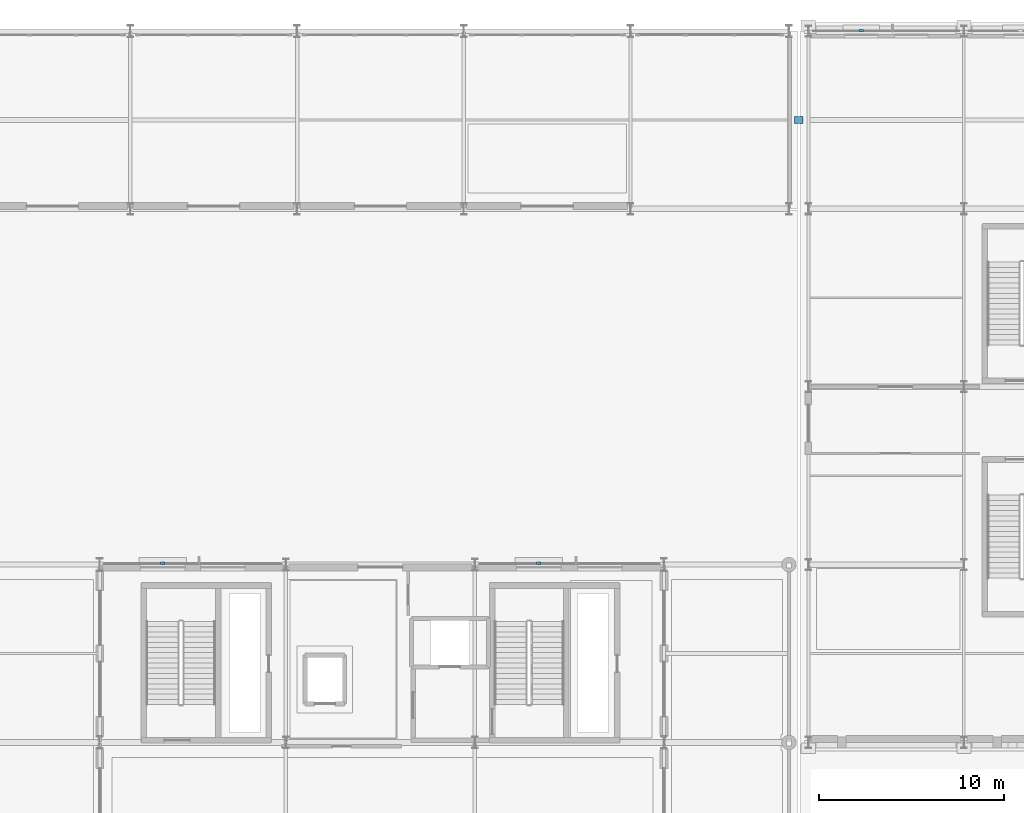
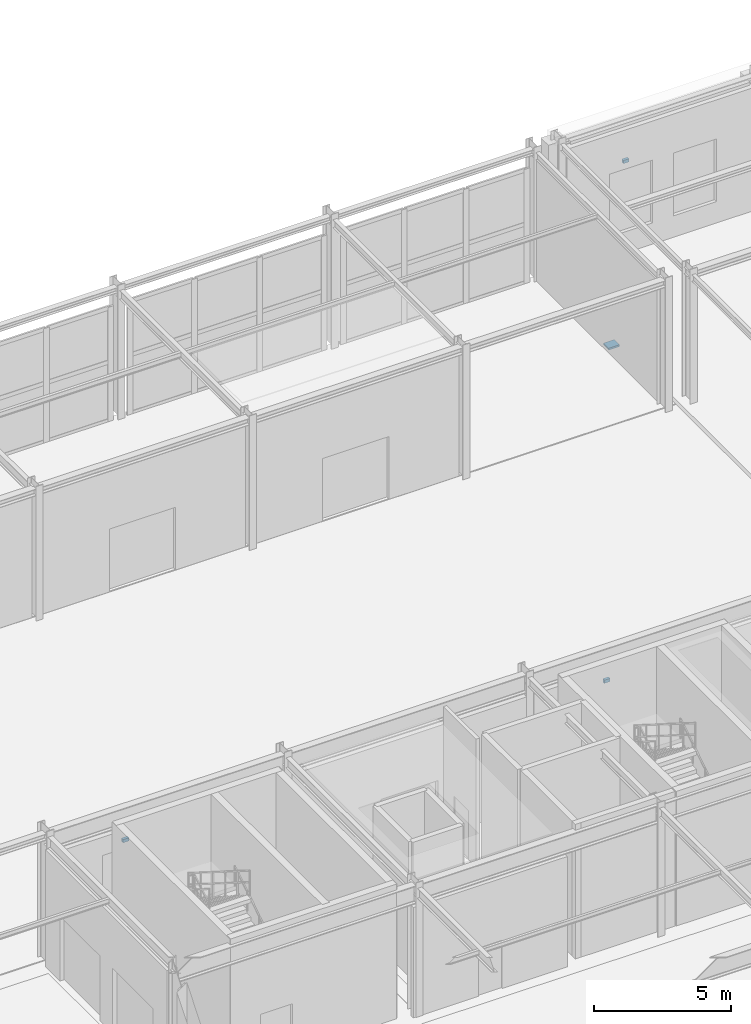
# One storey, part 74 of 113: 4 discrete accessories.
"""IFC4 building model written with IfcOpenShell, lengths in metres."""

from ifc_helpers import new_model, si_unit, direction, frame, origin, origin_2d, place, context, subcontext, project, spatial, rectangle, extrude, material, type_object, element, save


model = new_model("IFC4")

# Units and contexts
model_context = context("Model", 3, precision=1e-05, world=origin(), true_north=direction((0.0, 1.0)))
body_context = subcontext(model_context, "Body", "Model", "MODEL_VIEW")
ifc_project = project(units=[si_unit("LENGTHUNIT", "METRE"), si_unit("AREAUNIT", "SQUARE_METRE"), si_unit("VOLUMEUNIT", "CUBIC_METRE"), si_unit("PLANEANGLEUNIT", "RADIAN"), si_unit("MASSUNIT", "GRAM", prefix="KILO")], contexts=[model_context])

# Site, building, storey
site_placement = place(None, origin())
site = spatial("IfcSite", under=ifc_project, at=site_placement, CompositionType="ELEMENT")
building_placement = place(site_placement, origin())
building = spatial("IfcBuilding", under=site, at=building_placement, Name="Myrtia Square Station", CompositionType="ELEMENT")
storey_placement = place(building_placement, origin())
storey = spatial("IfcBuildingStorey", under=building, at=storey_placement, Name="L00", CompositionType="ELEMENT", Elevation=0.0)

# Discrete accessories
ifc_material = material(Name="Steel S355", Category="steel")
discrete_accessory_type_1 = type_object("IfcDiscreteAccessoryType", Name="ACC-BRACKET-BRONZE", PredefinedType="BRACKET", material=ifc_material)
for number, where, z_axis, x_axis, name in (
    (1, (82.751953125, 96.080078125, 4.080078125), (0.0, 0.0, 1.0), (1.0, 0.0, 0.0), "Solar shading fixing bracket 002"),
    (2, (103.052001953125, 96.080078125, 4.080078125), (0.0, 0.0, 1.0), (1.0, 0.0, 0.0), "Solar shading fixing bracket 004"),
    (3, (120.451904296875, 124.830078125, 3.72998046875), (0.0, 0.0, 1.0), (1.0, 0.0, 0.0), "Solar shading fixing bracket 031"),
):
    element("IfcDiscreteAccessory", number, at=place(storey_placement, frame(where, z_axis=z_axis, x_axis=x_axis)), inside=storey, type_object=discrete_accessory_type_1, Name=name, PredefinedType="BRACKET", context=body_context, shape_type="SweptSolid", body=[
        extrude(rectangle(XDim=0.239990234375, YDim=0.1201171875, at=origin_2d()), origin(), (0.0, 0.0, 1.0), 0.139892578125),
    ])
discrete_accessory_type_2 = type_object("IfcDiscreteAccessoryType", Name="ACC-PTFE-BEARING", PredefinedType="USERDEFINED", material=ifc_material)
discrete_accessory_placement = place(storey_placement, frame((117.074951171875, 120.0, -0.3544921875), z_axis=(0.0, 0.0, 1.0), x_axis=(1.0, 0.0, 0.0)))
element("IfcDiscreteAccessory", 4, at=discrete_accessory_placement, inside=storey, type_object=discrete_accessory_type_2, Name="Seismic movement-joint passage sliding bearing SB-01-08", ObjectType="SLIDING BEARING", PredefinedType="USERDEFINED", context=body_context, shape_type="SweptSolid", body=[
    extrude(rectangle(XDim=0.449951171875, YDim=0.3798828125, at=origin_2d()), origin(), (0.0, 0.0, 1.0), 0.0849609375),
])

save(model, "model.ifc")
